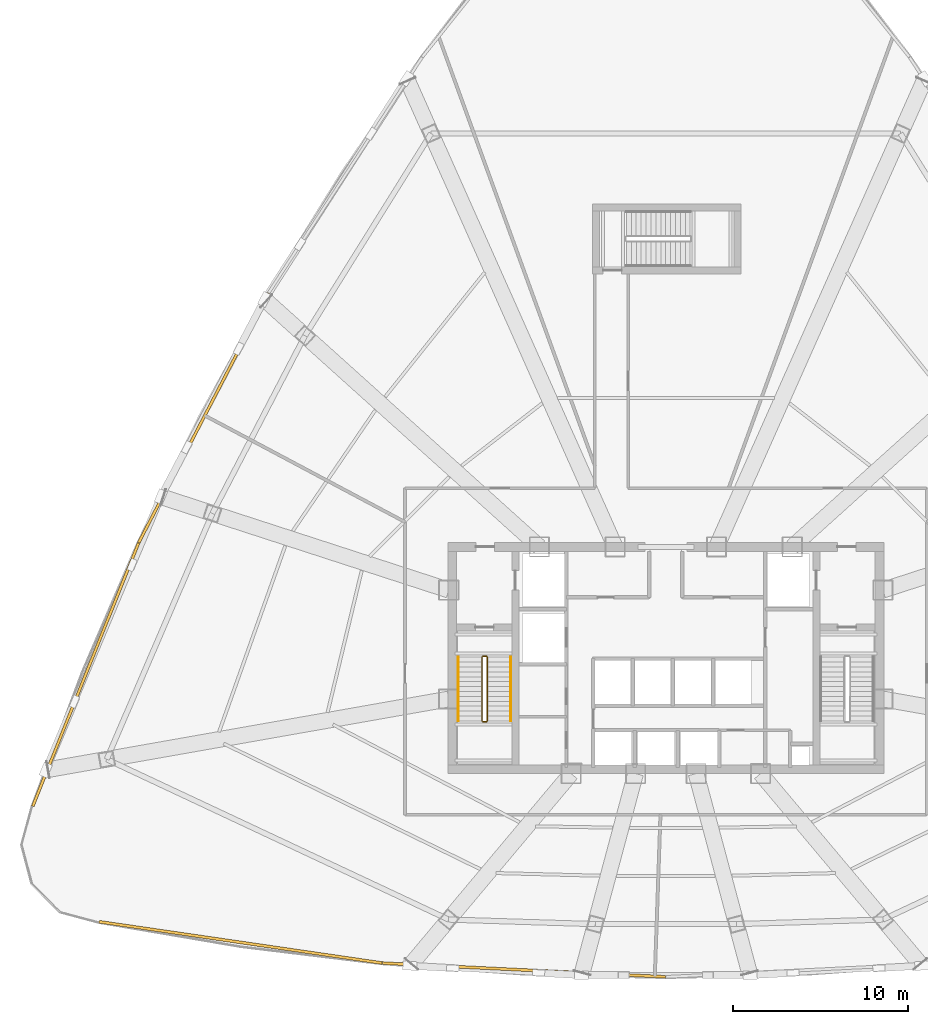
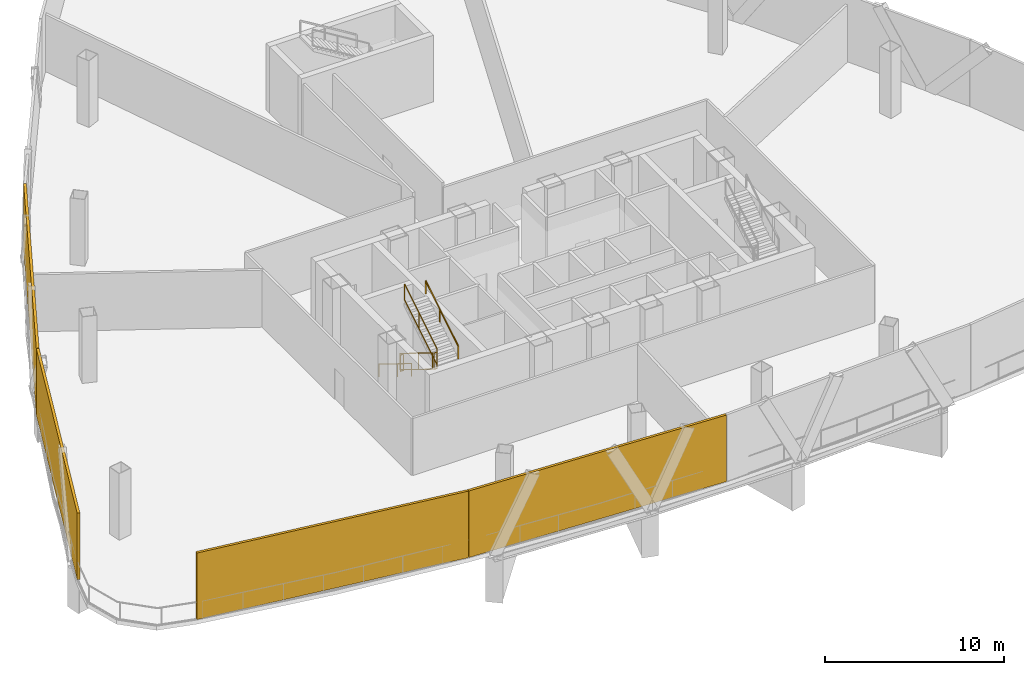
# One storey, part 9 of 14: 6 railings, 4 shading devices.
"""IFC4 building model written with IfcOpenShell, lengths in metres."""

import ifcopenshell
import ifcopenshell.guid

model = None  # the IFC model being written
_history = None  # IfcOwnerHistory: only IFC2X3 demands one
_inside = {}  # id of a spatial element -> (the spatial element, [elements in it])
_under = {}  # id of a project, library or spatial element -> (it, [spatial elements below it])
_declared = {}  # id of a project -> (the project, [libraries it declares])
_typed = {}  # id of a type object -> (the type object, [elements of that type])
_made_of = {}  # id of a material, layer set ... -> (it, [elements and type objects made of it])


def new_model(schema):
    """Start an empty IFC model of exactly this schema.

    Asked for "IFC4X3", IfcOpenShell would pick the latest addendum, in which some entities
    have other attributes; the version numbers below select the first issue.
    IFC2X3 requires an IfcOwnerHistory on every rooted entity: one is made here for all.
    """
    global model, _history
    if schema == "IFC4X3":
        model = ifcopenshell.file(schema_version=(4, 3, 0, 0))
    else:
        model = ifcopenshell.file(schema=schema)
    _inside.clear()
    _under.clear()
    _declared.clear()
    _typed.clear()
    _made_of.clear()
    _history = None
    if model.schema == "IFC2X3":
        org = make("IfcOrganization", Name="unknown")
        user = make(
            "IfcPersonAndOrganization",
            ThePerson=make("IfcPerson", FamilyName="unknown"),
            TheOrganization=org,
        )
        app = make(
            "IfcApplication",
            ApplicationDeveloper=org,
            Version="unknown",
            ApplicationFullName="unknown",
            ApplicationIdentifier="unknown",
        )
        _history = make(
            "IfcOwnerHistory",
            OwningUser=user,
            OwningApplication=app,
            ChangeAction="ADDED",
            CreationDate=0,
        )
    return model


def make(cls, **values):
    """One entity of the class cls with the attributes given. An attribute that is None is left unset."""
    return model.create_entity(
        cls, **{name: value for name, value in values.items() if value is not None}
    )


def rooted(cls, **values):
    """An entity with a GlobalId (a new one), such as an element, a storey or a relation."""
    return make(cls, GlobalId=ifcopenshell.guid.new(), OwnerHistory=_history, **values)


def si_unit(unit_type, name, prefix=None):
    """IfcSIUnit, for example si_unit("LENGTHUNIT", "METRE", prefix="MILLI")."""
    return make("IfcSIUnit", UnitType=unit_type, Prefix=prefix, Name=name)


def assignment(units):
    """IfcUnitAssignment: the units of a project."""
    return None if units is None else make("IfcUnitAssignment", Units=units)


def point(xyz):
    """IfcCartesianPoint."""
    return None if xyz is None else make("IfcCartesianPoint", Coordinates=xyz)


def direction(xyz):
    """IfcDirection."""
    return None if xyz is None else make("IfcDirection", DirectionRatios=xyz)


def frame(location, z_axis=None, x_axis=None):
    """IfcAxis2Placement3D, a coordinate frame: its origin and axes. An axis left out is left unset."""
    return make(
        "IfcAxis2Placement3D",
        Location=point(location),
        Axis=direction(z_axis),
        RefDirection=direction(x_axis),
    )


def frame_2d(location, x_axis=None):
    """IfcAxis2Placement2D, a coordinate frame in the plane: its origin and x axis."""
    return make(
        "IfcAxis2Placement2D", Location=point(location), RefDirection=direction(x_axis)
    )


def origin():
    """The frame at (0, 0, 0) with its axes left unset."""
    return frame((0.0, 0.0, 0.0))


def origin_2d():
    """The frame at (0, 0) in the plane with its x axis left unset."""
    return frame_2d((0.0, 0.0))


def place(relative_to, where):
    """IfcLocalPlacement: puts the frame where relative to a parent placement (None: the world)."""
    return make(
        "IfcLocalPlacement", PlacementRelTo=relative_to, RelativePlacement=where
    )


def context(
    kind, dimensions, precision=None, world=None, true_north=None, identifier=None
):
    """IfcGeometricRepresentationContext, for example the 3D "Model" context."""
    return make(
        "IfcGeometricRepresentationContext",
        ContextIdentifier=identifier,
        ContextType=kind,
        CoordinateSpaceDimension=dimensions,
        Precision=precision,
        WorldCoordinateSystem=world,
        TrueNorth=true_north,
    )


def subcontext(parent, identifier, kind, view, scale=None):
    """IfcGeometricRepresentationSubContext, for example "Body" below "Model"."""
    return make(
        "IfcGeometricRepresentationSubContext",
        ContextIdentifier=identifier,
        ContextType=kind,
        ParentContext=parent,
        TargetScale=scale,
        TargetView=view,
    )


def project(units=None, contexts=None):
    """IfcProject with its units and contexts."""
    return rooted(
        "IfcProject",
        Name="project",
        RepresentationContexts=contexts,
        UnitsInContext=assignment(units),
    )


def spatial(cls, under=None, at=None, **own):
    """A site, building, storey or space (cls), placed at a placement, below another one or the project."""
    s = rooted(cls, ObjectPlacement=at, **own)
    if under is not None:
        _under.setdefault(under.id(), (under, []))[1].append(s)
    return s


def profile(cls, at=None, kind="AREA", **sizes):
    """A parametric profile (cls). Its sizes go by their IFC names, for example OverallWidth=200.0."""
    return make(cls, ProfileType=kind, Position=at, **sizes)


def rectangle(**sizes):
    """IfcRectangleProfileDef."""
    return profile("IfcRectangleProfileDef", **sizes)


def extrude(swept, where, along, depth):
    """IfcExtrudedAreaSolid: the profile swept, set in the frame where, extruded along a direction by depth."""
    return make(
        "IfcExtrudedAreaSolid",
        SweptArea=swept,
        Position=where,
        ExtrudedDirection=direction(along),
        Depth=depth,
    )


def shape(context_of_items, identifier, shape_type, items):
    """IfcShapeRepresentation: the items that make up one representation, for example the "Body"."""
    return make(
        "IfcShapeRepresentation",
        ContextOfItems=context_of_items,
        RepresentationIdentifier=identifier,
        RepresentationType=shape_type,
        Items=items,
    )


def source(mapping_origin, context_of_items, identifier, shape_type, items):
    """IfcRepresentationMap: a shape defined once, which mapped items show again and again."""
    return make(
        "IfcRepresentationMap",
        MappingOrigin=mapping_origin,
        MappedRepresentation=shape(context_of_items, identifier, shape_type, items),
    )


def transform(
    local_origin,
    x_axis=None,
    y_axis=None,
    z_axis=None,
    scale=None,
    scale2=None,
    scale3=None,
    uniform=True,
):
    """IfcCartesianTransformationOperator3D, or its non-uniform kind. x_axis, y_axis, z_axis: its Axis1, 2, 3."""
    if uniform:
        return make(
            "IfcCartesianTransformationOperator3D",
            Axis1=direction(x_axis),
            Axis2=direction(y_axis),
            LocalOrigin=point(local_origin),
            Scale=scale,
            Axis3=direction(z_axis),
        )
    return make(
        "IfcCartesianTransformationOperator3DnonUniform",
        Axis1=direction(x_axis),
        Axis2=direction(y_axis),
        LocalOrigin=point(local_origin),
        Scale=scale,
        Axis3=direction(z_axis),
        Scale2=scale2,
        Scale3=scale3,
    )


def mapped(mapping_source, mapping_target):
    """IfcMappedItem: shows the shape of a source again, moved by a transform."""
    return make(
        "IfcMappedItem", MappingSource=mapping_source, MappingTarget=mapping_target
    )


def material(Name=None, Category=None):
    """IfcMaterial."""
    return make("IfcMaterial", Name=Name, Category=Category)


def layer(
    of_material, thickness, ventilated=None, Name=None, Category=None, Priority=None
):
    """IfcMaterialLayer: one layer of a wall or slab, of a material (None: an air gap)."""
    return make(
        "IfcMaterialLayer",
        Material=of_material,
        LayerThickness=thickness,
        IsVentilated=ventilated,
        Name=Name,
        Category=Category,
        Priority=Priority,
    )


def layer_set(layers, Name=None):
    """IfcMaterialLayerSet."""
    return make("IfcMaterialLayerSet", MaterialLayers=layers, LayerSetName=Name)


def made_of(thing, what):
    """Note that an element or type object is made of a material, layer set ...; save() writes the relation."""
    if what is not None:
        _made_of.setdefault(what.id(), (what, []))[1].append(thing)
    return thing


def type_object(cls, material=None, **own):
    """A type object (cls), such as IfcWallType, which elements share."""
    return made_of(rooted(cls, **own), material)


def element(
    cls,
    number,
    at=None,
    inside=None,
    cuts=None,
    type_object=None,
    material=None,
    context=None,
    identifier="Body",
    shape_type=None,
    held_by="IfcProductDefinitionShape",
    body=None,
    shapes=None,
    **own,
):
    """One element of the class cls, such as IfcWall. Its Tag is "e" and its number.

    at: its placement. inside: the storey or other place that contains it. cuts: it is an
    opening in that element (IfcRelVoidsElement). A single representation is given by context,
    identifier, shape_type and body (its items); several are given by shapes. held_by: the class
    of the entity that holds the representations. save() writes the other relations.
    """
    e = rooted(cls, Tag="e%d" % number, ObjectPlacement=at, **own)
    if body is not None:
        shapes = [shape(context, identifier, shape_type, body)]
    if shapes is not None:
        e.Representation = make(held_by, Representations=shapes)
    if inside is not None:
        _inside.setdefault(inside.id(), (inside, []))[1].append(e)
    if cuts is not None:
        rooted(
            "IfcRelVoidsElement", RelatingBuildingElement=cuts, RelatedOpeningElement=e
        )
    if type_object is not None:
        _typed.setdefault(type_object.id(), (type_object, []))[1].append(e)
    return made_of(e, material)


def aggregate(whole, parts):
    """IfcRelAggregates: a whole, such as a stair, and the parts it consists of."""
    return rooted("IfcRelAggregates", RelatingObject=whole, RelatedObjects=parts)


def save(model, path):
    """Write the relations noted so far, then the file.

    IfcRelAggregates (storeys below a building ...), IfcRelContainedInSpatialStructure (elements
    in a storey), IfcRelDefinesByType, IfcRelAssociatesMaterial and IfcRelDeclares: one each for
    every whole, place, type object, material and project.
    """
    for whole, parts in _under.values():
        aggregate(whole, parts)
    for where, things in _inside.values():
        rooted(
            "IfcRelContainedInSpatialStructure",
            RelatedElements=things,
            RelatingStructure=where,
        )
    for kind, things in _typed.values():
        rooted("IfcRelDefinesByType", RelatedObjects=things, RelatingType=kind)
    for what, things in _made_of.values():
        rooted("IfcRelAssociatesMaterial", RelatedObjects=things, RelatingMaterial=what)
    for by, libraries in _declared.values():
        rooted("IfcRelDeclares", RelatingContext=by, RelatedDefinitions=libraries)
    model.write(path)


model = new_model("IFC4")

# Units and contexts
model_context = context("Model", 3, precision=1e-05, world=origin(), true_north=direction((0.0, 1.0)))
body_context = subcontext(model_context, "Body", "Model", "MODEL_VIEW")
ifc_project = project(units=[si_unit("LENGTHUNIT", "METRE"), si_unit("AREAUNIT", "SQUARE_METRE"), si_unit("VOLUMEUNIT", "CUBIC_METRE"), si_unit("PLANEANGLEUNIT", "RADIAN"), si_unit("MASSUNIT", "GRAM", prefix="KILO"), si_unit("THERMODYNAMICTEMPERATUREUNIT", "KELVIN"), si_unit("POWERUNIT", "WATT")], contexts=[model_context])

# Site, building, storey
site_placement = place(None, origin())
site = spatial("IfcSite", under=ifc_project, at=site_placement, CompositionType="ELEMENT")
building_placement = place(site_placement, origin())
building = spatial("IfcBuilding", under=site, at=building_placement, Name="Yunzhuo Pagoda Commons", CompositionType="ELEMENT")
storey_placement = place(building_placement, frame((0.0, 0.0, 224.81005859375)))
storey = spatial("IfcBuildingStorey", under=building, at=storey_placement, Name="L56", CompositionType="ELEMENT", Elevation=224.81005859375)

# Railings
ifc_material = material(Name="Anodized aluminium 6063-T6", Category="aluminium")
railing_type_1 = type_object("IfcRailingType", Name="GR-ST1 Stair Well Guardrail 1150", PredefinedType="GUARDRAIL", material=ifc_material)
railing_1_placement = place(storey_placement, frame((37.5, 33.89990234375, 0.17138671875)))
element("IfcRailing", 1, at=railing_1_placement, inside=storey, type_object=railing_type_1, Name="L56 ST1 stair guard 1", PredefinedType="GUARDRAIL", context=body_context, shape_type="SweptSolid", body=[
    extrude(rectangle(XDim=0.048095703125, YDim=0.048095703125, at=origin_2d()), frame((0.0, 0.0, 1.1259765625), z_axis=(0.0, -0.852850264322, 0.5221555579), x_axis=(1.0, 0.0, 0.0)), (0.0, 0.0, 1.0), 4.267822265625),
    extrude(rectangle(XDim=0.048095703125, YDim=0.048095703125, at=origin_2d()), frame((0.0, 0.0, 0.02392578125), z_axis=(0.0, -0.852850264322, 0.5221555579), x_axis=(1.0, 0.0, 0.0)), (0.0, 0.0, 1.0), 4.267822265625),
    extrude(rectangle(XDim=0.0419921875, YDim=0.0419921875, at=origin_2d()), origin(), (0.0, 0.0, 1.0), 1.101806640625),
    extrude(rectangle(XDim=0.0419921875, YDim=0.0419921875, at=origin_2d()), frame((0.0, -2.046875, 1.253173828125)), (0.0, 0.0, 1.0), 1.101806640625),
    extrude(rectangle(XDim=0.0419921875, YDim=0.0419921875, at=origin_2d()), frame((0.0, -3.639892578125, 2.228515625)), (0.0, 0.0, 1.0), 1.101806640625),
])
railing_2_placement = place(storey_placement, frame((37.550048828125, 30.2099609375, 2.39990234375)))
element("IfcRailing", 2, at=railing_2_placement, inside=storey, type_object=railing_type_1, Name="L56 ST1 stair guard 2", PredefinedType="GUARDRAIL", context=body_context, shape_type="SweptSolid", body=[
    extrude(rectangle(XDim=0.048095703125, YDim=0.048095703125, at=origin_2d()), frame((0.0, 0.0, 1.1259765625), z_axis=(1.0, 0.0, 0.0), x_axis=(0.0, 1.0, 0.0)), (0.0, 0.0, 1.0), 0.199951171875),
    extrude(rectangle(XDim=0.048095703125, YDim=0.048095703125, at=origin_2d()), frame((0.0, 0.0, 0.02392578125), z_axis=(1.0, 0.0, 0.0), x_axis=(0.0, 1.0, 0.0)), (0.0, 0.0, 1.0), 0.199951171875),
    extrude(rectangle(XDim=0.0419921875, YDim=0.0419921875, at=origin_2d()), origin(), (0.0, 0.0, 1.0), 1.101806640625),
    extrude(rectangle(XDim=0.0419921875, YDim=0.0419921875, at=origin_2d()), frame((0.199951171875, 0.0, 0.0)), (0.0, 0.0, 1.0), 1.101806640625),
])
railing_3_placement = place(storey_placement, frame((37.800048828125, 30.260009765625, 2.5712890625)))
element("IfcRailing", 3, at=railing_3_placement, inside=storey, type_object=railing_type_1, Name="L56 ST1 stair guard 3", PredefinedType="GUARDRAIL", context=body_context, shape_type="SweptSolid", body=[
    extrude(rectangle(XDim=0.048095703125, YDim=0.048095703125, at=origin_2d()), frame((0.0, 0.0, 1.1259765625), z_axis=(0.0, 0.852824790078, 0.522197163366), x_axis=(-1.0, 0.0, 0.0)), (0.0, 0.0, 1.0), 4.26806640625),
    extrude(rectangle(XDim=0.048095703125, YDim=0.048095703125, at=origin_2d()), frame((0.0, 0.0, 0.02392578125), z_axis=(0.0, 0.852824790078, 0.522197163366), x_axis=(-1.0, 0.0, 0.0)), (0.0, 0.0, 1.0), 4.26806640625),
    extrude(rectangle(XDim=0.0419921875, YDim=0.0419921875, at=origin_2d()), origin(), (0.0, 0.0, 1.0), 1.101806640625),
    extrude(rectangle(XDim=0.0419921875, YDim=0.0419921875, at=origin_2d()), frame((0.0, 2.046875, 1.253173828125)), (0.0, 0.0, 1.0), 1.101806640625),
    extrude(rectangle(XDim=0.0419921875, YDim=0.0419921875, at=origin_2d()), frame((0.0, 3.639892578125, 2.228759765625)), (0.0, 0.0, 1.0), 1.101806640625),
])
railing_4_placement = place(storey_placement, frame((37.550048828125, 33.949951171875, 0.0)))
element("IfcRailing", 4, at=railing_4_placement, inside=storey, type_object=railing_type_1, Name="L56 ST1 stair guard 4", PredefinedType="GUARDRAIL", context=body_context, shape_type="SweptSolid", body=[
    extrude(rectangle(XDim=0.048095703125, YDim=0.048095703125, at=origin_2d()), frame((0.0, 0.0, 1.1259765625), z_axis=(1.0, 0.0, 0.0), x_axis=(0.0, 1.0, 0.0)), (0.0, 0.0, 1.0), 0.199951171875),
    extrude(rectangle(XDim=0.048095703125, YDim=0.048095703125, at=origin_2d()), frame((0.0, 0.0, 0.02392578125), z_axis=(1.0, 0.0, 0.0), x_axis=(0.0, 1.0, 0.0)), (0.0, 0.0, 1.0), 0.199951171875),
    extrude(rectangle(XDim=0.0419921875, YDim=0.0419921875, at=origin_2d()), origin(), (0.0, 0.0, 1.0), 1.101806640625),
    extrude(rectangle(XDim=0.0419921875, YDim=0.0419921875, at=origin_2d()), frame((0.199951171875, 0.0, 0.0)), (0.0, 0.0, 1.0), 1.101806640625),
])
railing_type_2 = type_object("IfcRailingType", Name="HR-ST1 Stair Handrail 900", PredefinedType="HANDRAIL", material=ifc_material)
railing_5_placement = place(storey_placement, frame((36.14990234375, 33.89990234375, 0.17138671875)))
element("IfcRailing", 5, at=railing_5_placement, inside=storey, type_object=railing_type_2, Name="L56 ST1 stair handrail 1", PredefinedType="HANDRAIL", context=body_context, shape_type="SweptSolid", body=[
    extrude(rectangle(XDim=0.048095703125, YDim=0.048095703125, at=origin_2d()), frame((0.0, 0.0, 0.8759765625), z_axis=(0.0, -0.852850264322, 0.5221555579), x_axis=(1.0, 0.0, 0.0)), (0.0, 0.0, 1.0), 4.267822265625),
    extrude(rectangle(XDim=0.0419921875, YDim=0.0419921875, at=origin_2d()), origin(), (0.0, 0.0, 1.0), 0.851806640625),
    extrude(rectangle(XDim=0.0419921875, YDim=0.0419921875, at=origin_2d()), frame((0.0, -2.046875, 1.253173828125)), (0.0, 0.0, 1.0), 0.851806640625),
    extrude(rectangle(XDim=0.0419921875, YDim=0.0419921875, at=origin_2d()), frame((0.0, -3.639892578125, 2.228515625)), (0.0, 0.0, 1.0), 0.851806640625),
])
railing_6_placement = place(storey_placement, frame((39.14990234375, 30.260009765625, 2.5712890625)))
element("IfcRailing", 6, at=railing_6_placement, inside=storey, type_object=railing_type_2, Name="L56 ST1 stair handrail 2", PredefinedType="HANDRAIL", context=body_context, shape_type="SweptSolid", body=[
    extrude(rectangle(XDim=0.048095703125, YDim=0.048095703125, at=origin_2d()), frame((0.0, 0.0, 0.8759765625), z_axis=(0.0, 0.852824790078, 0.522197163366), x_axis=(-1.0, 0.0, 0.0)), (0.0, 0.0, 1.0), 4.26806640625),
    extrude(rectangle(XDim=0.0419921875, YDim=0.0419921875, at=origin_2d()), origin(), (0.0, 0.0, 1.0), 0.851806640625),
    extrude(rectangle(XDim=0.0419921875, YDim=0.0419921875, at=origin_2d()), frame((0.0, 2.046875, 1.253173828125)), (0.0, 0.0, 1.0), 0.851806640625),
    extrude(rectangle(XDim=0.0419921875, YDim=0.0419921875, at=origin_2d()), frame((0.0, 3.639892578125, 2.228759765625)), (0.0, 0.0, 1.0), 0.851806640625),
])

# Shading devices
ifc_layer = layer(ifc_material, 0.159912109375)
ifc_layer_set = layer_set([ifc_layer], Name="Anodized aluminium 6063-T6")
shading_device_type = type_object("IfcShadingDeviceType", Name="SH-SCR1 Stormproof Refuge Louvre Screen", PredefinedType="JALOUSIE", material=ifc_layer_set)
shared_shape_1 = source(origin(), body_context, "Body", "SweptSolid", [
    extrude(rectangle(XDim=16.335693359375, YDim=0.159912109375, at=origin_2d()), origin(), (0.0, 0.0, 1.0), 4.5400390625),
])
shading_device_1_placement = place(storey_placement, frame((23.711669921875, 17.60888671875, 0.0), z_axis=(0.0, 0.0, 1.0), x_axis=(0.989510666697, -0.144459823108, 0.0)))
element("IfcShadingDevice", 7, at=shading_device_1_placement, inside=storey, type_object=shading_device_type, Name="L56 stormproof refuge louvre screen F1.1", PredefinedType="JALOUSIE", context=body_context, shape_type="MappedRepresentation", body=[
    mapped(shared_shape_1, transform((0.0, 0.0, 0.0), scale=1.0)),
])
shared_shape_2 = source(origin(), body_context, "Body", "SweptSolid", [
    extrude(rectangle(XDim=16.182861328125, YDim=0.159912109375, at=origin_2d()), origin(), (0.0, 0.0, 1.0), 4.5400390625),
])
shading_device_2_placement = place(storey_placement, frame((39.904052734375, 16.033203125, 0.0), z_axis=(0.0, 0.0, 1.0), x_axis=(0.998818043775, -0.04860571396, 0.0)))
element("IfcShadingDevice", 8, at=shading_device_2_placement, inside=storey, type_object=shading_device_type, Name="L56 stormproof refuge louvre screen F1.2", PredefinedType="JALOUSIE", context=body_context, shape_type="MappedRepresentation", body=[
    mapped(shared_shape_2, transform((0.0, 0.0, 0.0), scale=1.0)),
])
shared_shape_3 = source(origin(), body_context, "Body", "SweptSolid", [
    extrude(rectangle(XDim=16.2041015625, YDim=0.159912109375, at=origin_2d()), origin(), (0.0, 0.0, 1.0), 4.5400390625),
])
shading_device_3_placement = place(storey_placement, frame((14.862548828125, 32.90576171875, 0.0), z_axis=(0.0, 0.0, 1.0), x_axis=(-0.372987782576, -0.927836253899, 0.0)))
element("IfcShadingDevice", 9, at=shading_device_3_placement, inside=storey, type_object=shading_device_type, Name="L56 stormproof refuge louvre screen F3.4", PredefinedType="JALOUSIE", context=body_context, shape_type="MappedRepresentation", body=[
    mapped(shared_shape_3, transform((0.0, 0.0, 0.0), scale=1.0)),
])
shared_shape_4 = source(origin(), body_context, "Body", "SweptSolid", [
    extrude(rectangle(XDim=16.05029296875, YDim=0.159912109375, at=origin_2d()), origin(), (0.0, 0.0, 1.0), 4.5400390625),
])
shading_device_4_placement = place(storey_placement, frame((21.59765625, 47.569580078125, 0.0), z_axis=(0.0, 0.0, 1.0), x_axis=(-0.461206683033, -0.88729273384, 0.0)))
element("IfcShadingDevice", 10, at=shading_device_4_placement, inside=storey, type_object=shading_device_type, Name="L56 stormproof refuge louvre screen F3.3", PredefinedType="JALOUSIE", context=body_context, shape_type="MappedRepresentation", body=[
    mapped(shared_shape_4, transform((0.0, 0.0, 0.0), scale=1.0)),
])

save(model, "model.ifc")
